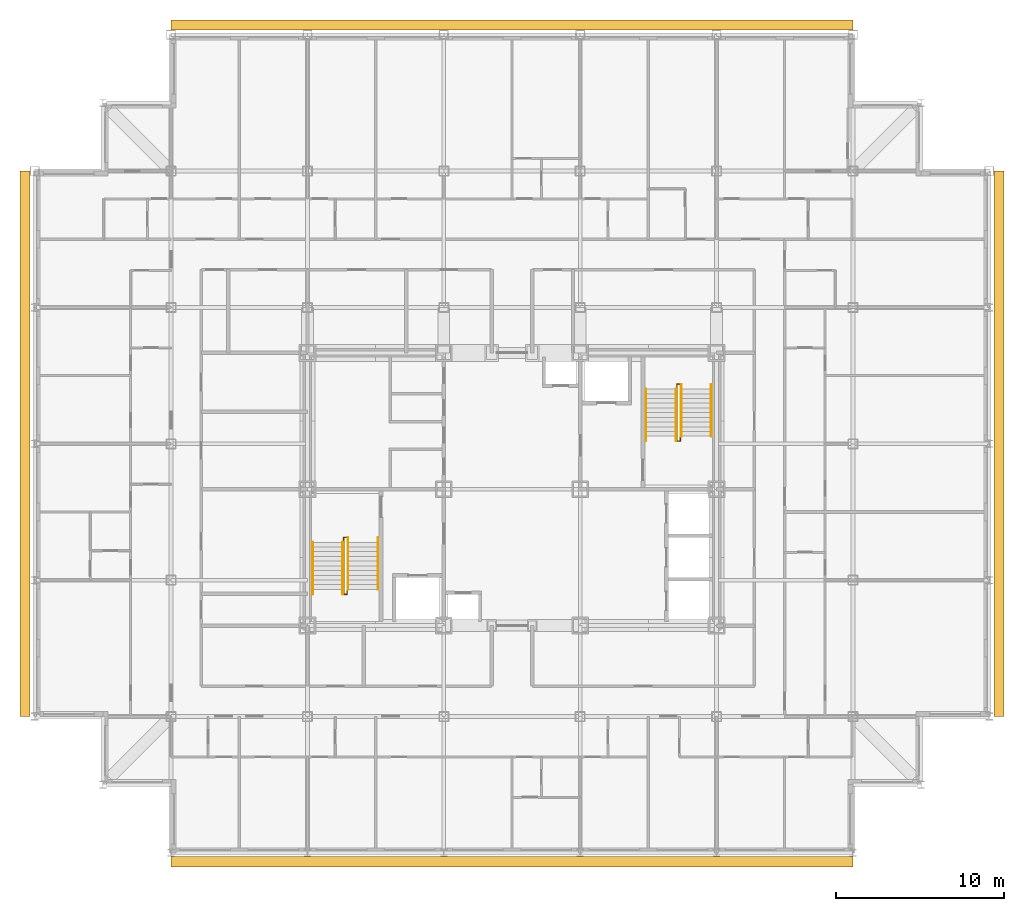
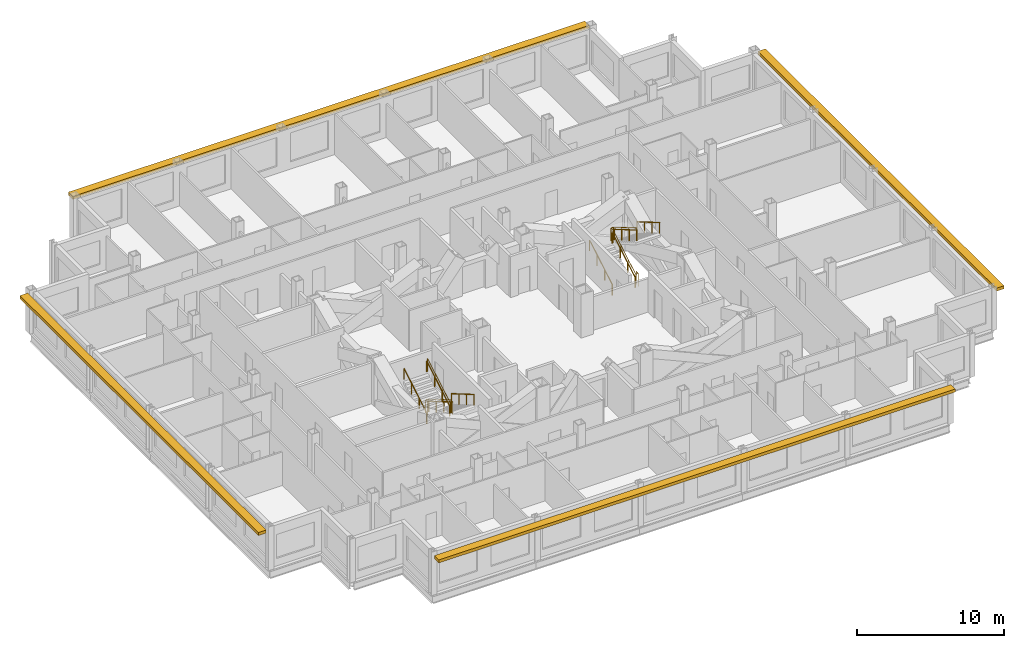
# One storey, part 12 of 12: 10 railings, 4 shading devices.
"""IFC4 building model written with IfcOpenShell, lengths in metres."""

import ifcopenshell
import ifcopenshell.guid

model = None  # the IFC model being written
_history = None  # IfcOwnerHistory: only IFC2X3 demands one
_inside = {}  # id of a spatial element -> (the spatial element, [elements in it])
_under = {}  # id of a project, library or spatial element -> (it, [spatial elements below it])
_declared = {}  # id of a project -> (the project, [libraries it declares])
_typed = {}  # id of a type object -> (the type object, [elements of that type])
_made_of = {}  # id of a material, layer set ... -> (it, [elements and type objects made of it])


def new_model(schema):
    """Start an empty IFC model of exactly this schema.

    Asked for "IFC4X3", IfcOpenShell would pick the latest addendum, in which some entities
    have other attributes; the version numbers below select the first issue.
    IFC2X3 requires an IfcOwnerHistory on every rooted entity: one is made here for all.
    """
    global model, _history
    if schema == "IFC4X3":
        model = ifcopenshell.file(schema_version=(4, 3, 0, 0))
    else:
        model = ifcopenshell.file(schema=schema)
    _inside.clear()
    _under.clear()
    _declared.clear()
    _typed.clear()
    _made_of.clear()
    _history = None
    if model.schema == "IFC2X3":
        org = make("IfcOrganization", Name="unknown")
        user = make(
            "IfcPersonAndOrganization",
            ThePerson=make("IfcPerson", FamilyName="unknown"),
            TheOrganization=org,
        )
        app = make(
            "IfcApplication",
            ApplicationDeveloper=org,
            Version="unknown",
            ApplicationFullName="unknown",
            ApplicationIdentifier="unknown",
        )
        _history = make(
            "IfcOwnerHistory",
            OwningUser=user,
            OwningApplication=app,
            ChangeAction="ADDED",
            CreationDate=0,
        )
    return model


def make(cls, **values):
    """One entity of the class cls with the attributes given. An attribute that is None is left unset."""
    return model.create_entity(
        cls, **{name: value for name, value in values.items() if value is not None}
    )


def rooted(cls, **values):
    """An entity with a GlobalId (a new one), such as an element, a storey or a relation."""
    return make(cls, GlobalId=ifcopenshell.guid.new(), OwnerHistory=_history, **values)


def si_unit(unit_type, name, prefix=None):
    """IfcSIUnit, for example si_unit("LENGTHUNIT", "METRE", prefix="MILLI")."""
    return make("IfcSIUnit", UnitType=unit_type, Prefix=prefix, Name=name)


def assignment(units):
    """IfcUnitAssignment: the units of a project."""
    return None if units is None else make("IfcUnitAssignment", Units=units)


def point(xyz):
    """IfcCartesianPoint."""
    return None if xyz is None else make("IfcCartesianPoint", Coordinates=xyz)


def direction(xyz):
    """IfcDirection."""
    return None if xyz is None else make("IfcDirection", DirectionRatios=xyz)


def frame(location, z_axis=None, x_axis=None):
    """IfcAxis2Placement3D, a coordinate frame: its origin and axes. An axis left out is left unset."""
    return make(
        "IfcAxis2Placement3D",
        Location=point(location),
        Axis=direction(z_axis),
        RefDirection=direction(x_axis),
    )


def frame_2d(location, x_axis=None):
    """IfcAxis2Placement2D, a coordinate frame in the plane: its origin and x axis."""
    return make(
        "IfcAxis2Placement2D", Location=point(location), RefDirection=direction(x_axis)
    )


def origin():
    """The frame at (0, 0, 0) with its axes left unset."""
    return frame((0.0, 0.0, 0.0))


def origin_2d():
    """The frame at (0, 0) in the plane with its x axis left unset."""
    return frame_2d((0.0, 0.0))


def place(relative_to, where):
    """IfcLocalPlacement: puts the frame where relative to a parent placement (None: the world)."""
    return make(
        "IfcLocalPlacement", PlacementRelTo=relative_to, RelativePlacement=where
    )


def context(
    kind, dimensions, precision=None, world=None, true_north=None, identifier=None
):
    """IfcGeometricRepresentationContext, for example the 3D "Model" context."""
    return make(
        "IfcGeometricRepresentationContext",
        ContextIdentifier=identifier,
        ContextType=kind,
        CoordinateSpaceDimension=dimensions,
        Precision=precision,
        WorldCoordinateSystem=world,
        TrueNorth=true_north,
    )


def subcontext(parent, identifier, kind, view, scale=None):
    """IfcGeometricRepresentationSubContext, for example "Body" below "Model"."""
    return make(
        "IfcGeometricRepresentationSubContext",
        ContextIdentifier=identifier,
        ContextType=kind,
        ParentContext=parent,
        TargetScale=scale,
        TargetView=view,
    )


def project(units=None, contexts=None):
    """IfcProject with its units and contexts."""
    return rooted(
        "IfcProject",
        Name="project",
        RepresentationContexts=contexts,
        UnitsInContext=assignment(units),
    )


def spatial(cls, under=None, at=None, **own):
    """A site, building, storey or space (cls), placed at a placement, below another one or the project."""
    s = rooted(cls, ObjectPlacement=at, **own)
    if under is not None:
        _under.setdefault(under.id(), (under, []))[1].append(s)
    return s


def profile(cls, at=None, kind="AREA", **sizes):
    """A parametric profile (cls). Its sizes go by their IFC names, for example OverallWidth=200.0."""
    return make(cls, ProfileType=kind, Position=at, **sizes)


def rectangle(**sizes):
    """IfcRectangleProfileDef."""
    return profile("IfcRectangleProfileDef", **sizes)


def circle(**sizes):
    """IfcCircleProfileDef."""
    return profile("IfcCircleProfileDef", **sizes)


def extrude(swept, where, along, depth):
    """IfcExtrudedAreaSolid: the profile swept, set in the frame where, extruded along a direction by depth."""
    return make(
        "IfcExtrudedAreaSolid",
        SweptArea=swept,
        Position=where,
        ExtrudedDirection=direction(along),
        Depth=depth,
    )


def shape(context_of_items, identifier, shape_type, items):
    """IfcShapeRepresentation: the items that make up one representation, for example the "Body"."""
    return make(
        "IfcShapeRepresentation",
        ContextOfItems=context_of_items,
        RepresentationIdentifier=identifier,
        RepresentationType=shape_type,
        Items=items,
    )


def material(Name=None, Category=None):
    """IfcMaterial."""
    return make("IfcMaterial", Name=Name, Category=Category)


def made_of(thing, what):
    """Note that an element or type object is made of a material, layer set ...; save() writes the relation."""
    if what is not None:
        _made_of.setdefault(what.id(), (what, []))[1].append(thing)
    return thing


def type_object(cls, material=None, **own):
    """A type object (cls), such as IfcWallType, which elements share."""
    return made_of(rooted(cls, **own), material)


def element(
    cls,
    number,
    at=None,
    inside=None,
    cuts=None,
    type_object=None,
    material=None,
    context=None,
    identifier="Body",
    shape_type=None,
    held_by="IfcProductDefinitionShape",
    body=None,
    shapes=None,
    **own,
):
    """One element of the class cls, such as IfcWall. Its Tag is "e" and its number.

    at: its placement. inside: the storey or other place that contains it. cuts: it is an
    opening in that element (IfcRelVoidsElement). A single representation is given by context,
    identifier, shape_type and body (its items); several are given by shapes. held_by: the class
    of the entity that holds the representations. save() writes the other relations.
    """
    e = rooted(cls, Tag="e%d" % number, ObjectPlacement=at, **own)
    if body is not None:
        shapes = [shape(context, identifier, shape_type, body)]
    if shapes is not None:
        e.Representation = make(held_by, Representations=shapes)
    if inside is not None:
        _inside.setdefault(inside.id(), (inside, []))[1].append(e)
    if cuts is not None:
        rooted(
            "IfcRelVoidsElement", RelatingBuildingElement=cuts, RelatedOpeningElement=e
        )
    if type_object is not None:
        _typed.setdefault(type_object.id(), (type_object, []))[1].append(e)
    return made_of(e, material)


def aggregate(whole, parts):
    """IfcRelAggregates: a whole, such as a stair, and the parts it consists of."""
    return rooted("IfcRelAggregates", RelatingObject=whole, RelatedObjects=parts)


def save(model, path):
    """Write the relations noted so far, then the file.

    IfcRelAggregates (storeys below a building ...), IfcRelContainedInSpatialStructure (elements
    in a storey), IfcRelDefinesByType, IfcRelAssociatesMaterial and IfcRelDeclares: one each for
    every whole, place, type object, material and project.
    """
    for whole, parts in _under.values():
        aggregate(whole, parts)
    for where, things in _inside.values():
        rooted(
            "IfcRelContainedInSpatialStructure",
            RelatedElements=things,
            RelatingStructure=where,
        )
    for kind, things in _typed.values():
        rooted("IfcRelDefinesByType", RelatedObjects=things, RelatingType=kind)
    for what, things in _made_of.values():
        rooted("IfcRelAssociatesMaterial", RelatedObjects=things, RelatingMaterial=what)
    for by, libraries in _declared.values():
        rooted("IfcRelDeclares", RelatingContext=by, RelatedDefinitions=libraries)
    model.write(path)


model = new_model("IFC4")

# Units and contexts
model_context = context("Model", 3, precision=1e-05, world=origin(), true_north=direction((0.0, 1.0)))
body_context = subcontext(model_context, "Body", "Model", "MODEL_VIEW")
ifc_project = project(units=[si_unit("LENGTHUNIT", "METRE"), si_unit("AREAUNIT", "SQUARE_METRE"), si_unit("VOLUMEUNIT", "CUBIC_METRE"), si_unit("PLANEANGLEUNIT", "RADIAN"), si_unit("MASSUNIT", "GRAM", prefix="KILO")], contexts=[model_context])

# Site, building, storey
site_placement = place(None, origin())
site = spatial("IfcSite", under=ifc_project, at=site_placement, CompositionType="ELEMENT")
building_placement = place(site_placement, origin())
building = spatial("IfcBuilding", under=site, at=building_placement, Name="Kopane Lantern Tower", CompositionType="ELEMENT")
storey_placement = place(building_placement, frame((0.0, 0.0, 202.800048828125)))
storey = spatial("IfcBuildingStorey", under=building, at=storey_placement, Name="L52", CompositionType="ELEMENT", Elevation=202.800048828125)

# Railings
ifc_material_1 = material(Name="Steel", Category="steel")
railing_type_1 = type_object("IfcRailingType", Name="STAIR GUARD 1100", PredefinedType="GUARDRAIL", material=ifc_material_1)
railing_1_placement = place(storey_placement, frame((18.35009765625, 29.25, 0.0)))
element("IfcRailing", 1, at=railing_1_placement, inside=storey, type_object=railing_type_1, Name="ST1 well guard L52", PredefinedType="GUARDRAIL", context=body_context, shape_type="SweptSolid", body=[
    extrude(circle(Radius=0.02392578125, at=origin_2d()), frame((0.0, 0.0, 1.076171875), z_axis=(0.0, 1.0, 0.0), x_axis=(-1.0, 0.0, 0.0)), (0.0, 0.0, 1.0), 0.280029296875),
    extrude(circle(Radius=0.02392578125, at=origin_2d()), frame((0.0, 0.280029296875, 1.076171875), z_axis=(1.0, 0.0, 0.0), x_axis=(0.0, 1.0, 0.0)), (0.0, 0.0, 1.0), 0.199951171875),
    extrude(circle(Radius=0.02392578125, at=origin_2d()), frame((0.199951171875, 0.280029296875, 1.076171875), z_axis=(0.0, -0.863371556955, 0.504568681787), x_axis=(1.0, 0.0, 0.0)), (0.0, 0.0, 1.0), 3.5673828125),
    extrude(circle(Radius=0.02392578125, at=origin_2d()), frame((0.199951171875, -2.800048828125, 2.8759765625), z_axis=(0.0, -1.0, 0.0), x_axis=(1.0, 0.0, 0.0)), (0.0, 0.0, 1.0), 0.280029296875),
    extrude(circle(Radius=0.02392578125, at=origin_2d()), frame((0.199951171875, -3.080078125, 2.8759765625), z_axis=(-1.0, 0.0, 0.0), x_axis=(0.0, -1.0, 0.0)), (0.0, 0.0, 1.0), 0.199951171875),
    extrude(circle(Radius=0.02392578125, at=origin_2d()), frame((0.0, -3.080078125, 2.8759765625), z_axis=(0.0, 0.863401368682, 0.504517667242), x_axis=(-1.0, 0.0, 0.0)), (0.0, 0.0, 1.0), 3.5673828125),
    extrude(circle(Radius=0.02099609375, at=origin_2d()), origin(), (0.0, 0.0, 1.0), 1.052001953125),
    extrude(circle(Radius=0.02099609375, at=origin_2d()), frame((0.0, 0.280029296875, 0.0)), (0.0, 0.0, 1.0), 1.052001953125),
    extrude(circle(Radius=0.02099609375, at=origin_2d()), frame((0.199951171875, 0.280029296875, 0.0)), (0.0, 0.0, 1.0), 1.052001953125),
    extrude(circle(Radius=0.02099609375, at=origin_2d()), frame((0.199951171875, -0.74658203125, 0.60009765625)), (0.0, 0.0, 1.0), 1.052001953125),
    extrude(circle(Radius=0.02099609375, at=origin_2d()), frame((0.199951171875, -1.7734375, 1.199951171875)), (0.0, 0.0, 1.0), 1.052001953125),
    extrude(circle(Radius=0.02099609375, at=origin_2d()), frame((0.199951171875, -2.800048828125, 1.800048828125)), (0.0, 0.0, 1.0), 1.052001953125),
    extrude(circle(Radius=0.02099609375, at=origin_2d()), frame((0.199951171875, -3.080078125, 1.800048828125)), (0.0, 0.0, 1.0), 1.052001953125),
    extrude(circle(Radius=0.02099609375, at=origin_2d()), frame((0.0, -3.080078125, 1.800048828125)), (0.0, 0.0, 1.0), 1.052001953125),
    extrude(circle(Radius=0.02099609375, at=origin_2d()), frame((0.0, -2.053466796875, 2.39990234375)), (0.0, 0.0, 1.0), 1.052001953125),
    extrude(circle(Radius=0.02099609375, at=origin_2d()), frame((0.0, -1.026611328125, 3.0)), (0.0, 0.0, 1.0), 1.052001953125),
    extrude(circle(Radius=0.02099609375, at=origin_2d()), frame((0.0, 0.0, 3.599853515625)), (0.0, 0.0, 1.0), 1.052001953125),
])
railing_2_placement = place(storey_placement, frame((38.35009765625, 35.550048828125, 0.0)))
element("IfcRailing", 2, at=railing_2_placement, inside=storey, type_object=railing_type_1, Name="ST2 well guard L52", PredefinedType="GUARDRAIL", context=body_context, shape_type="SweptSolid", body=[
    extrude(circle(Radius=0.02392578125, at=origin_2d()), frame((0.0, 0.0, 1.076171875), z_axis=(0.0, -1.0, 0.0), x_axis=(1.0, 0.0, 0.0)), (0.0, 0.0, 1.0), 0.280029296875),
    extrude(circle(Radius=0.02392578125, at=origin_2d()), frame((0.0, -0.280029296875, 1.076171875), z_axis=(-1.0, 0.0, 0.0), x_axis=(0.0, -1.0, 0.0)), (0.0, 0.0, 1.0), 0.2001953125),
    extrude(circle(Radius=0.02392578125, at=origin_2d()), frame((-0.2001953125, -0.280029296875, 1.076171875), z_axis=(0.0, 0.863371556955, 0.504568681787), x_axis=(-1.0, 0.0, 0.0)), (0.0, 0.0, 1.0), 3.5673828125),
    extrude(circle(Radius=0.02392578125, at=origin_2d()), frame((-0.2001953125, 2.800048828125, 2.8759765625), z_axis=(0.0, 1.0, 0.0), x_axis=(-1.0, 0.0, 0.0)), (0.0, 0.0, 1.0), 0.27978515625),
    extrude(circle(Radius=0.02392578125, at=origin_2d()), frame((-0.2001953125, 3.079833984375, 2.8759765625), z_axis=(1.0, 0.0, 0.0), x_axis=(0.0, 1.0, 0.0)), (0.0, 0.0, 1.0), 0.2001953125),
    extrude(circle(Radius=0.02392578125, at=origin_2d()), frame((0.0, 3.079833984375, 2.8759765625), z_axis=(0.0, -0.863383947312, 0.504547479951), x_axis=(1.0, 0.0, 0.0)), (0.0, 0.0, 1.0), 3.567138671875),
    extrude(circle(Radius=0.02099609375, at=origin_2d()), origin(), (0.0, 0.0, 1.0), 1.052001953125),
    extrude(circle(Radius=0.02099609375, at=origin_2d()), frame((0.0, -0.280029296875, 0.0)), (0.0, 0.0, 1.0), 1.052001953125),
    extrude(circle(Radius=0.02099609375, at=origin_2d()), frame((-0.2001953125, -0.280029296875, 0.0)), (0.0, 0.0, 1.0), 1.052001953125),
    extrude(circle(Radius=0.02099609375, at=origin_2d()), frame((-0.2001953125, 0.74658203125, 0.60009765625)), (0.0, 0.0, 1.0), 1.052001953125),
    extrude(circle(Radius=0.02099609375, at=origin_2d()), frame((-0.2001953125, 1.7734375, 1.199951171875)), (0.0, 0.0, 1.0), 1.052001953125),
    extrude(circle(Radius=0.02099609375, at=origin_2d()), frame((-0.2001953125, 2.800048828125, 1.800048828125)), (0.0, 0.0, 1.0), 1.052001953125),
    extrude(circle(Radius=0.02099609375, at=origin_2d()), frame((-0.2001953125, 3.079833984375, 1.800048828125)), (0.0, 0.0, 1.0), 1.052001953125),
    extrude(circle(Radius=0.02099609375, at=origin_2d()), frame((0.0, 3.079833984375, 1.800048828125)), (0.0, 0.0, 1.0), 1.052001953125),
    extrude(circle(Radius=0.02099609375, at=origin_2d()), frame((0.0, 2.05322265625, 2.39990234375)), (0.0, 0.0, 1.0), 1.052001953125),
    extrude(circle(Radius=0.02099609375, at=origin_2d()), frame((0.0, 1.026611328125, 3.0)), (0.0, 0.0, 1.0), 1.052001953125),
    extrude(circle(Radius=0.02099609375, at=origin_2d()), frame((0.0, 0.0, 3.599853515625)), (0.0, 0.0, 1.0), 1.052001953125),
])
ifc_material_2 = material(Name="Steel", Category="steel")
railing_type_2 = type_object("IfcRailingType", Name="STAIR HANDRAIL 900", PredefinedType="HANDRAIL", material=ifc_material_2)
for number, where, name in (
    (3, (20.389892578125, 29.530029296875, 0.0), "ST1 handrail L52 flight 1"),
    (4, (18.610107421875, 29.530029296875, 0.0), "ST1 handrail L52 flight 1"),
):
    element("IfcRailing", number, at=place(storey_placement, frame(where)), inside=storey, type_object=railing_type_2, Name=name, PredefinedType="HANDRAIL", context=body_context, shape_type="SweptSolid", body=[
        extrude(circle(Radius=0.02392578125, at=origin_2d()), frame((0.0, 0.0, 0.8759765625), z_axis=(0.0, -0.863371556955, 0.504568681787), x_axis=(1.0, 0.0, 0.0)), (0.0, 0.0, 1.0), 3.5673828125),
        extrude(circle(Radius=0.02099609375, at=origin_2d()), origin(), (0.0, 0.0, 1.0), 0.851806640625),
        extrude(circle(Radius=0.02099609375, at=origin_2d()), frame((0.0, -1.026611328125, 0.60009765625)), (0.0, 0.0, 1.0), 0.851806640625),
        extrude(circle(Radius=0.02099609375, at=origin_2d()), frame((0.0, -2.053466796875, 1.199951171875)), (0.0, 0.0, 1.0), 0.851806640625),
        extrude(circle(Radius=0.02099609375, at=origin_2d()), frame((0.0, -3.080078125, 1.800048828125)), (0.0, 0.0, 1.0), 0.851806640625),
    ])
for number, where, name in (
    (5, (16.510009765625, 26.169921875, 1.800048828125), "ST1 handrail L52 flight 2"),
    (6, (18.2900390625, 26.169921875, 1.800048828125), "ST1 handrail L52 flight 2"),
):
    element("IfcRailing", number, at=place(storey_placement, frame(where)), inside=storey, type_object=railing_type_2, Name=name, PredefinedType="HANDRAIL", context=body_context, shape_type="SweptSolid", body=[
        extrude(circle(Radius=0.02392578125, at=origin_2d()), frame((0.0, 0.0, 0.8759765625), z_axis=(0.0, 0.863401368682, 0.504517667242), x_axis=(-1.0, 0.0, 0.0)), (0.0, 0.0, 1.0), 3.5673828125),
        extrude(circle(Radius=0.02099609375, at=origin_2d()), origin(), (0.0, 0.0, 1.0), 0.851806640625),
        extrude(circle(Radius=0.02099609375, at=origin_2d()), frame((0.0, 1.026611328125, 0.599853515625)), (0.0, 0.0, 1.0), 0.851806640625),
        extrude(circle(Radius=0.02099609375, at=origin_2d()), frame((0.0, 2.053466796875, 1.199951171875)), (0.0, 0.0, 1.0), 0.851806640625),
        extrude(circle(Radius=0.02099609375, at=origin_2d()), frame((0.0, 3.080078125, 1.7998046875)), (0.0, 0.0, 1.0), 0.851806640625),
    ])
for number, where, name in (
    (7, (36.31005859375, 35.27001953125, 0.0), "ST2 handrail L52 flight 1"),
    (8, (38.090087890625, 35.27001953125, 0.0), "ST2 handrail L52 flight 1"),
):
    element("IfcRailing", number, at=place(storey_placement, frame(where)), inside=storey, type_object=railing_type_2, Name=name, PredefinedType="HANDRAIL", context=body_context, shape_type="SweptSolid", body=[
        extrude(circle(Radius=0.02392578125, at=origin_2d()), frame((0.0, 0.0, 0.8759765625), z_axis=(0.0, 0.863371556955, 0.504568681787), x_axis=(-1.0, 0.0, 0.0)), (0.0, 0.0, 1.0), 3.5673828125),
        extrude(circle(Radius=0.02099609375, at=origin_2d()), origin(), (0.0, 0.0, 1.0), 0.851806640625),
        extrude(circle(Radius=0.02099609375, at=origin_2d()), frame((0.0, 1.026611328125, 0.60009765625)), (0.0, 0.0, 1.0), 0.851806640625),
        extrude(circle(Radius=0.02099609375, at=origin_2d()), frame((0.0, 2.053466796875, 1.199951171875)), (0.0, 0.0, 1.0), 0.851806640625),
        extrude(circle(Radius=0.02099609375, at=origin_2d()), frame((0.0, 3.080078125, 1.800048828125)), (0.0, 0.0, 1.0), 0.851806640625),
    ])
for number, where, name in (
    (9, (40.18994140625, 38.6298828125, 1.800048828125), "ST2 handrail L52 flight 2"),
    (10, (38.409912109375, 38.6298828125, 1.800048828125), "ST2 handrail L52 flight 2"),
):
    element("IfcRailing", number, at=place(storey_placement, frame(where)), inside=storey, type_object=railing_type_2, Name=name, PredefinedType="HANDRAIL", context=body_context, shape_type="SweptSolid", body=[
        extrude(circle(Radius=0.02392578125, at=origin_2d()), frame((0.0, 0.0, 0.8759765625), z_axis=(0.0, -0.863383947312, 0.504547479951), x_axis=(1.0, 0.0, 0.0)), (0.0, 0.0, 1.0), 3.567138671875),
        extrude(circle(Radius=0.02099609375, at=origin_2d()), origin(), (0.0, 0.0, 1.0), 0.851806640625),
        extrude(circle(Radius=0.02099609375, at=origin_2d()), frame((0.0, -1.026611328125, 0.599853515625)), (0.0, 0.0, 1.0), 0.851806640625),
        extrude(circle(Radius=0.02099609375, at=origin_2d()), frame((0.0, -2.05322265625, 1.199951171875)), (0.0, 0.0, 1.0), 0.851806640625),
        extrude(circle(Radius=0.02099609375, at=origin_2d()), frame((0.0, -3.079833984375, 1.7998046875)), (0.0, 0.0, 1.0), 0.851806640625),
    ])

# Shading devices
ifc_material_3 = material(Name="Terracotta rainscreen on light steel framing", Category="masonry")
shading_device_type = type_object("IfcShadingDeviceType", Name="SUNSHADE BAND SB1 600 TERRACOTTA", PredefinedType="USERDEFINED", material=ifc_material_3)
shading_device_1_placement = place(storey_placement, frame((28.35009765625, 10.272216796875, 3.0), z_axis=(0.0, 0.0, 1.0), x_axis=(1.0, 0.0, 0.0)))
element("IfcShadingDevice", 11, at=shading_device_1_placement, inside=storey, type_object=shading_device_type, Name="Sunshade band S L52", ObjectType="SUNSHADE BAND", PredefinedType="USERDEFINED", context=body_context, shape_type="SweptSolid", body=[
    extrude(rectangle(XDim=40.5, YDim=0.60009765625, at=origin_2d()), origin(), (0.0, 0.0, 1.0), 0.25),
])
shading_device_2_placement = place(storey_placement, frame((57.27490234375, 35.10009765625, 3.0), z_axis=(0.0, 0.0, 1.0), x_axis=(0.0, 1.0, 0.0)))
element("IfcShadingDevice", 12, at=shading_device_2_placement, inside=storey, type_object=shading_device_type, Name="Sunshade band E L52", ObjectType="SUNSHADE BAND", PredefinedType="USERDEFINED", context=body_context, shape_type="SweptSolid", body=[
    extrude(rectangle(XDim=32.39990234375, YDim=0.60009765625, at=origin_2d()), origin(), (0.0, 0.0, 1.0), 0.25),
])
shading_device_3_placement = place(storey_placement, frame((28.35009765625, 59.97509765625, 3.0), z_axis=(0.0, 0.0, 1.0), x_axis=(-1.0, 0.0, 0.0)))
element("IfcShadingDevice", 13, at=shading_device_3_placement, inside=storey, type_object=shading_device_type, Name="Sunshade band N L52", ObjectType="SUNSHADE BAND", PredefinedType="USERDEFINED", context=body_context, shape_type="SweptSolid", body=[
    extrude(rectangle(XDim=40.5, YDim=0.60009765625, at=origin_2d()), origin(), (0.0, 0.0, 1.0), 0.25),
])
shading_device_4_placement = place(storey_placement, frame((-0.574951171875, 35.10009765625, 3.0), z_axis=(0.0, 0.0, 1.0), x_axis=(0.0, -1.0, 0.0)))
element("IfcShadingDevice", 14, at=shading_device_4_placement, inside=storey, type_object=shading_device_type, Name="Sunshade band W L52", ObjectType="SUNSHADE BAND", PredefinedType="USERDEFINED", context=body_context, shape_type="SweptSolid", body=[
    extrude(rectangle(XDim=32.39990234375, YDim=0.60009765625, at=origin_2d()), origin(), (0.0, 0.0, 1.0), 0.25),
])

save(model, "model.ifc")
